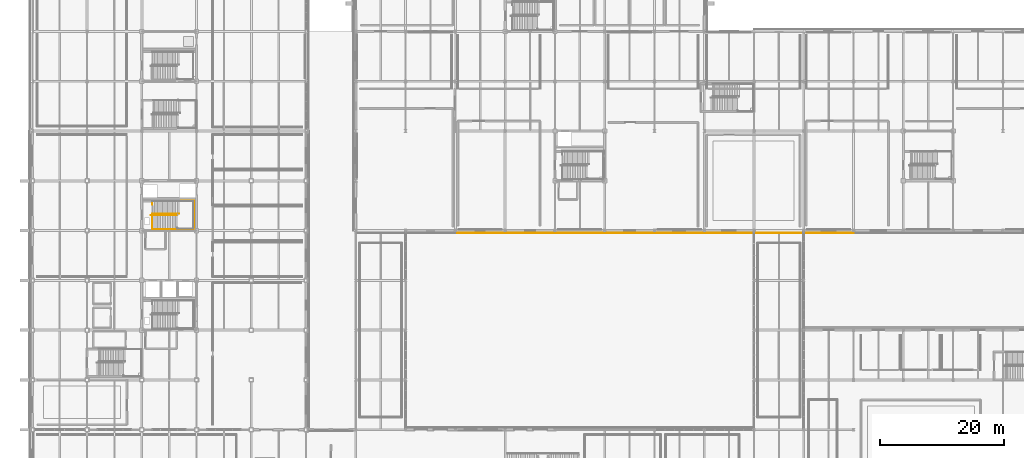
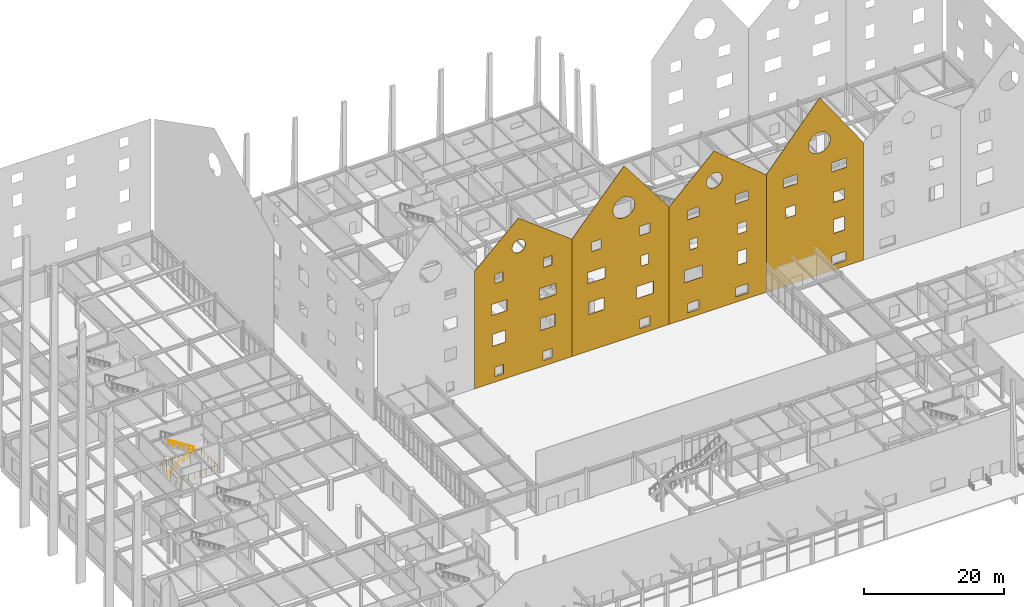
# One storey, part 106 of 119: 4 coverings, 3 railings, 33 openings.
"""IFC4 building model written with IfcOpenShell, lengths in metres."""

from ifc_helpers import new_model, si_unit, direction, frame, frame_2d, origin, origin_2d, place, context, subcontext, project, spatial, polyline, rectangle, circle, outline, extrude, material, layer, layer_set, type_object, element, save


model = new_model("IFC4")

# Units and contexts
model_context = context("Model", 3, precision=1e-05, world=origin(), true_north=direction((0.0, 1.0)))
body_context = subcontext(model_context, "Body", "Model", "MODEL_VIEW")
ifc_project = project(units=[si_unit("LENGTHUNIT", "METRE"), si_unit("AREAUNIT", "SQUARE_METRE"), si_unit("VOLUMEUNIT", "CUBIC_METRE"), si_unit("PLANEANGLEUNIT", "RADIAN"), si_unit("MASSUNIT", "GRAM", prefix="KILO")], contexts=[model_context])

# Site, building, storey
site_placement = place(None, origin())
site = spatial("IfcSite", under=ifc_project, at=site_placement, CompositionType="ELEMENT")
building_placement = place(site_placement, origin())
building = spatial("IfcBuilding", under=site, at=building_placement, Name="Zhaolan Boulevard Law Courts", CompositionType="ELEMENT")
storey_placement = place(building_placement, origin())
storey = spatial("IfcBuildingStorey", under=building, at=storey_placement, Name="L00", CompositionType="ELEMENT", Elevation=0.0)

# Railings
ifc_material_1 = material(Name="Brushed stainless steel tubular handrail", Category="steel")
railing_type_1 = type_object("IfcRailingType", Name="STAIR HANDRAIL 900", PredefinedType="HANDRAIL", material=ifc_material_1)
railing_1_placement = place(storey_placement, frame((19.050048828125, 64.47998046875, 0.0)))
element("IfcRailing", 1, at=railing_1_placement, inside=storey, type_object=railing_type_1, Name="Stair Handrail HR-ST02-L00-1", PredefinedType="HANDRAIL", context=body_context, shape_type="SweptSolid", body=[
    extrude(circle(Radius=0.0224609375, at=origin_2d()), frame((0.0, 0.0, 0.87744140625), z_axis=(0.843501457581, 0.0, 0.537126885437), x_axis=(0.0, 1.0, 0.0)), (0.0, 0.0, 1.0), 5.026611328125),
    extrude(circle(Radius=0.01904296875, at=origin_2d()), origin(), (0.0, 0.0, 1.0), 0.85498046875),
    extrude(circle(Radius=0.01904296875, at=origin_2d()), frame((0.847900390625, 0.0, 0.5400390625)), (0.0, 0.0, 1.0), 0.85498046875),
    extrude(circle(Radius=0.01904296875, at=origin_2d()), frame((1.696044921875, 0.0, 1.080078125)), (0.0, 0.0, 1.0), 0.85498046875),
    extrude(circle(Radius=0.01904296875, at=origin_2d()), frame((2.5439453125, 0.0, 1.619873046875)), (0.0, 0.0, 1.0), 0.85498046875),
    extrude(circle(Radius=0.01904296875, at=origin_2d()), frame((3.39208984375, 0.0, 2.159912109375)), (0.0, 0.0, 1.0), 0.85498046875),
    extrude(circle(Radius=0.01904296875, at=origin_2d()), frame((4.239990234375, 0.0, 2.699951171875)), (0.0, 0.0, 1.0), 0.85498046875),
])
railing_2_placement = place(storey_placement, frame((23.574951171875, 64.699951171875, 2.699951171875)))
element("IfcRailing", 2, at=railing_2_placement, inside=storey, type_object=railing_type_1, Name="Stair Handrail HR-ST02-L00-2", PredefinedType="HANDRAIL", context=body_context, shape_type="SweptSolid", body=[
    extrude(circle(Radius=0.0224609375, at=origin_2d()), frame((0.0, 0.0, 0.87744140625), z_axis=(-0.843501457581, 0.0, 0.537126885437), x_axis=(0.0, -1.0, 0.0)), (0.0, 0.0, 1.0), 5.026611328125),
    extrude(circle(Radius=0.01904296875, at=origin_2d()), origin(), (0.0, 0.0, 1.0), 0.85498046875),
    extrude(circle(Radius=0.01904296875, at=origin_2d()), frame((-0.847900390625, 0.0, 0.5400390625)), (0.0, 0.0, 1.0), 0.85498046875),
    extrude(circle(Radius=0.01904296875, at=origin_2d()), frame((-1.696044921875, 0.0, 1.080078125)), (0.0, 0.0, 1.0), 0.85498046875),
    extrude(circle(Radius=0.01904296875, at=origin_2d()), frame((-2.5439453125, 0.0, 1.619873046875)), (0.0, 0.0, 1.0), 0.85498046875),
    extrude(circle(Radius=0.01904296875, at=origin_2d()), frame((-3.39208984375, 0.0, 2.159912109375)), (0.0, 0.0, 1.0), 0.85498046875),
    extrude(circle(Radius=0.01904296875, at=origin_2d()), frame((-4.239990234375, 0.0, 2.699951171875)), (0.0, 0.0, 1.0), 0.85498046875),
])
ifc_material_2 = material(Name="Powder-coated steel baluster guardrail", Category="steel")
railing_type_2 = type_object("IfcRailingType", Name="STAIR WELL GUARDRAIL 1120", PredefinedType="GUARDRAIL", material=ifc_material_2)
railing_3_placement = place(storey_placement, frame((19.2900390625, 64.25, 0.0)))
element("IfcRailing", 3, at=railing_3_placement, inside=storey, type_object=railing_type_2, Name="Stair-Well Floor Guardrail WG-ST02-B1", PredefinedType="GUARDRAIL", context=body_context, shape_type="SweptSolid", body=[
    extrude(circle(Radius=0.02392578125, at=origin_2d()), frame((0.0, 0.0, 1.09619140625), z_axis=(0.0, -1.0, 0.0), x_axis=(1.0, 0.0, 0.0)), (0.0, 0.0, 1.0), 2.050048828125),
    extrude(circle(Radius=0.02392578125, at=origin_2d()), frame((0.0, -2.050048828125, 1.09619140625), z_axis=(1.0, 0.0, 0.0), x_axis=(0.0, 1.0, 0.0)), (0.0, 0.0, 1.0), 6.7099609375),
    extrude(circle(Radius=0.02392578125, at=origin_2d()), frame((6.7099609375, -2.050048828125, 1.09619140625), z_axis=(0.0, 1.0, 0.0), x_axis=(-1.0, 0.0, 0.0)), (0.0, 0.0, 1.0), 4.60009765625),
    extrude(circle(Radius=0.02392578125, at=origin_2d()), frame((6.7099609375, 2.550048828125, 1.09619140625), z_axis=(-1.0, 0.0, 0.0), x_axis=(0.0, -1.0, 0.0)), (0.0, 0.0, 1.0), 6.7099609375),
    extrude(circle(Radius=0.02392578125, at=origin_2d()), frame((0.0, 2.550048828125, 1.09619140625), z_axis=(0.0, -1.0, 0.0), x_axis=(1.0, 0.0, 0.0)), (0.0, 0.0, 1.0), 0.60009765625),
    extrude(circle(Radius=0.02099609375, at=origin_2d()), origin(), (0.0, 0.0, 1.0), 1.072021484375),
    extrude(circle(Radius=0.02099609375, at=origin_2d()), frame((0.0, -1.02490234375, 0.0)), (0.0, 0.0, 1.0), 1.072021484375),
    extrude(circle(Radius=0.02099609375, at=origin_2d()), frame((0.0, -2.050048828125, 0.0)), (0.0, 0.0, 1.0), 1.072021484375),
    extrude(circle(Radius=0.02099609375, at=origin_2d()), frame((0.95849609375, -2.050048828125, 0.0)), (0.0, 0.0, 1.0), 1.072021484375),
    extrude(circle(Radius=0.02099609375, at=origin_2d()), frame((1.917236328125, -2.050048828125, 0.0)), (0.0, 0.0, 1.0), 1.072021484375),
    extrude(circle(Radius=0.02099609375, at=origin_2d()), frame((2.875732421875, -2.050048828125, 0.0)), (0.0, 0.0, 1.0), 1.072021484375),
    extrude(circle(Radius=0.02099609375, at=origin_2d()), frame((3.834228515625, -2.050048828125, 0.0)), (0.0, 0.0, 1.0), 1.072021484375),
    extrude(circle(Radius=0.02099609375, at=origin_2d()), frame((4.792724609375, -2.050048828125, 0.0)), (0.0, 0.0, 1.0), 1.072021484375),
    extrude(circle(Radius=0.02099609375, at=origin_2d()), frame((5.75146484375, -2.050048828125, 0.0)), (0.0, 0.0, 1.0), 1.072021484375),
    extrude(circle(Radius=0.02099609375, at=origin_2d()), frame((6.7099609375, -2.050048828125, 0.0)), (0.0, 0.0, 1.0), 1.072021484375),
    extrude(circle(Radius=0.02099609375, at=origin_2d()), frame((6.7099609375, -1.130126953125, 0.0)), (0.0, 0.0, 1.0), 1.072021484375),
    extrude(circle(Radius=0.02099609375, at=origin_2d()), frame((6.7099609375, -0.2099609375, 0.0)), (0.0, 0.0, 1.0), 1.072021484375),
    extrude(circle(Radius=0.02099609375, at=origin_2d()), frame((6.7099609375, 0.7099609375, 0.0)), (0.0, 0.0, 1.0), 1.072021484375),
    extrude(circle(Radius=0.02099609375, at=origin_2d()), frame((6.7099609375, 1.630126953125, 0.0)), (0.0, 0.0, 1.0), 1.072021484375),
    extrude(circle(Radius=0.02099609375, at=origin_2d()), frame((6.7099609375, 2.550048828125, 0.0)), (0.0, 0.0, 1.0), 1.072021484375),
    extrude(circle(Radius=0.02099609375, at=origin_2d()), frame((5.75146484375, 2.550048828125, 0.0)), (0.0, 0.0, 1.0), 1.072021484375),
    extrude(circle(Radius=0.02099609375, at=origin_2d()), frame((4.792724609375, 2.550048828125, 0.0)), (0.0, 0.0, 1.0), 1.072021484375),
    extrude(circle(Radius=0.02099609375, at=origin_2d()), frame((3.834228515625, 2.550048828125, 0.0)), (0.0, 0.0, 1.0), 1.072021484375),
    extrude(circle(Radius=0.02099609375, at=origin_2d()), frame((2.875732421875, 2.550048828125, 0.0)), (0.0, 0.0, 1.0), 1.072021484375),
    extrude(circle(Radius=0.02099609375, at=origin_2d()), frame((1.917236328125, 2.550048828125, 0.0)), (0.0, 0.0, 1.0), 1.072021484375),
    extrude(circle(Radius=0.02099609375, at=origin_2d()), frame((0.95849609375, 2.550048828125, 0.0)), (0.0, 0.0, 1.0), 1.072021484375),
    extrude(circle(Radius=0.02099609375, at=origin_2d()), frame((0.0, 2.550048828125, 0.0)), (0.0, 0.0, 1.0), 1.072021484375),
    extrude(circle(Radius=0.02099609375, at=origin_2d()), frame((0.0, 1.949951171875, 0.0)), (0.0, 0.0, 1.0), 1.072021484375),
])

# Covering, openings
ifc_material_3 = material(Name="Pale mist-grey standing-seam Al-Mg-Mn zinc-titanium")
ifc_layer = layer(ifc_material_3, 0.050048828125)
ifc_layer_set = layer_set([ifc_layer])
covering_type = type_object("IfcCoveringType", Name="STANDING SEAM CLADDING 50", PredefinedType="CLADDING", material=ifc_layer_set)
covering_1_placement = place(storey_placement, frame((68.0, 61.635009765625, 0.0), z_axis=(0.0, 0.0, 1.0), x_axis=(1.0, 0.0, 0.0)))
covering_1 = element("IfcCovering", 4, at=covering_1_placement, inside=storey, type_object=covering_type, Name="Standing-Seam Metal Wall Wrap SSC-005", PredefinedType="CLADDING", context=body_context, shape_type="SweptSolid", body=[
    extrude(outline(polyline([(0.0, 0.0), (16.0, 0.0), (16.0, 20.449951171875), (7.199951171875, 27.199951171875), (0.0, 20.449951171875), (0.0, 0.0)])), frame((0.0, 0.02490234375, 0.0), z_axis=(0.0, -1.0, 0.0), x_axis=(1.0, 0.0, 0.0)), (0.0, 0.0, 1.0), 0.050048828125),
])
opening_1_placement = place(storey_placement, frame((71.300048828125, 61.635009765625, 0.949951171875), z_axis=(0.0, 0.0, 1.0), x_axis=(1.0, 0.0, 0.0)))
element("IfcOpeningElement", 5, at=opening_1_placement, cuts=covering_1, Name="Cladding Void WIN-L00-034", PredefinedType="OPENING", context=body_context, shape_type="SweptSolid", body=[
    extrude(rectangle(XDim=1.39990234375, YDim=1.60009765625, at=frame_2d((0.699951171875, 0.800048828125))), frame((0.0, 0.14990234375, 0.0), z_axis=(0.0, -1.0, 0.0), x_axis=(1.0, 0.0, 0.0)), (0.0, 0.0, 1.0), 0.300048828125),
])
opening_2_placement = place(storey_placement, frame((79.199951171875, 61.635009765625, 0.949951171875), z_axis=(0.0, 0.0, 1.0), x_axis=(1.0, 0.0, 0.0)))
element("IfcOpeningElement", 6, at=opening_2_placement, cuts=covering_1, Name="Cladding Void WIN-L00-035", PredefinedType="OPENING", context=body_context, shape_type="SweptSolid", body=[
    extrude(rectangle(XDim=1.60009765625, YDim=1.60009765625, at=frame_2d((0.800048828125, 0.800048828125))), frame((0.0, 0.14990234375, 0.0), z_axis=(0.0, -1.0, 0.0), x_axis=(1.0, 0.0, 0.0)), (0.0, 0.0, 1.0), 0.300048828125),
])
opening_3_placement = place(storey_placement, frame((70.89990234375, 61.635009765625, 6.35009765625), z_axis=(0.0, 0.0, 1.0), x_axis=(1.0, 0.0, 0.0)))
element("IfcOpeningElement", 7, at=opening_3_placement, cuts=covering_1, Name="Cladding Void WIN-L01-063", PredefinedType="OPENING", context=body_context, shape_type="SweptSolid", body=[
    extrude(rectangle(XDim=2.199951171875, YDim=2.10009765625, at=frame_2d((1.10009765625, 1.050048828125))), frame((0.0, 0.14990234375, 0.0), z_axis=(0.0, -1.0, 0.0), x_axis=(1.0, 0.0, 0.0)), (0.0, 0.0, 1.0), 0.300048828125),
])
opening_4_placement = place(storey_placement, frame((78.800048828125, 61.635009765625, 6.35009765625), z_axis=(0.0, 0.0, 1.0), x_axis=(1.0, 0.0, 0.0)))
element("IfcOpeningElement", 8, at=opening_4_placement, cuts=covering_1, Name="Cladding Void WIN-L01-064", PredefinedType="OPENING", context=body_context, shape_type="SweptSolid", body=[
    extrude(rectangle(XDim=2.39990234375, YDim=2.10009765625, at=frame_2d((1.199951171875, 1.050048828125))), frame((0.0, 0.14990234375, 0.0), z_axis=(0.0, -1.0, 0.0), x_axis=(1.0, 0.0, 0.0)), (0.0, 0.0, 1.0), 0.300048828125),
])
opening_5_placement = place(storey_placement, frame((70.72509765625, 61.635009765625, 11.75), z_axis=(0.0, 0.0, 1.0), x_axis=(1.0, 0.0, 0.0)))
element("IfcOpeningElement", 9, at=opening_5_placement, cuts=covering_1, Name="Cladding Void WIN-L02-095", PredefinedType="OPENING", context=body_context, shape_type="SweptSolid", body=[
    extrude(rectangle(XDim=2.550048828125, YDim=1.949951171875, at=frame_2d((1.27490234375, 0.97509765625))), frame((0.0, 0.14990234375, 0.0), z_axis=(0.0, -1.0, 0.0), x_axis=(1.0, 0.0, 0.0)), (0.0, 0.0, 1.0), 0.300048828125),
])
opening_6_placement = place(storey_placement, frame((78.625, 61.635009765625, 11.75), z_axis=(0.0, 0.0, 1.0), x_axis=(1.0, 0.0, 0.0)))
element("IfcOpeningElement", 10, at=opening_6_placement, cuts=covering_1, Name="Cladding Void WIN-L02-096", PredefinedType="OPENING", context=body_context, shape_type="SweptSolid", body=[
    extrude(rectangle(XDim=2.75, YDim=1.949951171875, at=frame_2d((1.375, 0.97509765625))), frame((0.0, 0.14990234375, 0.0), z_axis=(0.0, -1.0, 0.0), x_axis=(1.0, 0.0, 0.0)), (0.0, 0.0, 1.0), 0.300048828125),
])
opening_7_placement = place(storey_placement, frame((71.375, 61.635009765625, 17.14990234375), z_axis=(0.0, 0.0, 1.0), x_axis=(1.0, 0.0, 0.0)))
element("IfcOpeningElement", 11, at=opening_7_placement, cuts=covering_1, Name="Cladding Void WIN-L03-129", PredefinedType="OPENING", context=body_context, shape_type="SweptSolid", body=[
    extrude(rectangle(XDim=1.25, YDim=1.60009765625, at=frame_2d((0.625, 0.800048828125))), frame((0.0, 0.14990234375, 0.0), z_axis=(0.0, -1.0, 0.0), x_axis=(1.0, 0.0, 0.0)), (0.0, 0.0, 1.0), 0.300048828125),
])
opening_8_placement = place(storey_placement, frame((79.300048828125, 61.635009765625, 17.14990234375), z_axis=(0.0, 0.0, 1.0), x_axis=(1.0, 0.0, 0.0)))
element("IfcOpeningElement", 12, at=opening_8_placement, cuts=covering_1, Name="Cladding Void WIN-L03-130", PredefinedType="OPENING", context=body_context, shape_type="SweptSolid", body=[
    extrude(rectangle(XDim=1.39990234375, YDim=1.60009765625, at=frame_2d((0.699951171875, 0.800048828125))), frame((0.0, 0.14990234375, 0.0), z_axis=(0.0, -1.0, 0.0), x_axis=(1.0, 0.0, 0.0)), (0.0, 0.0, 1.0), 0.300048828125),
])
opening_9_placement = place(storey_placement, frame((74.155029296875, 61.635009765625, 21.169921875), z_axis=(0.0, 0.0, 1.0), x_axis=(1.0, 0.0, 0.0)))
element("IfcOpeningElement", 13, at=opening_9_placement, cuts=covering_1, Name="Cladding Void OC-T2S", PredefinedType="OPENING", context=body_context, shape_type="SweptSolid", body=[
    extrude(outline(polyline([(2.199951171875, 1.10009765625), (2.183349609375, 1.291015625), (2.133544921875, 1.476318359375), (2.052734375, 1.64990234375), (1.942626953125, 1.80712890625), (1.80712890625, 1.942626953125), (1.64990234375, 2.052734375), (1.476318359375, 2.133544921875), (1.291015625, 2.183349609375), (1.10009765625, 2.199951171875), (0.908935546875, 2.183349609375), (0.723876953125, 2.133544921875), (0.550048828125, 2.052734375), (0.392822265625, 1.942626953125), (0.25732421875, 1.80712890625), (0.1474609375, 1.64990234375), (0.06640625, 1.476318359375), (0.0166015625, 1.291015625), (0.0, 1.10009765625), (0.0166015625, 0.908935546875), (0.06640625, 0.723876953125), (0.1474609375, 0.550048828125), (0.25732421875, 0.392822265625), (0.392822265625, 0.25732421875), (0.550048828125, 0.1474609375), (0.723876953125, 0.06640625), (0.908935546875, 0.0166015625), (1.10009765625, 0.0), (1.291015625, 0.0166015625), (1.476318359375, 0.06640625), (1.64990234375, 0.1474609375), (1.80712890625, 0.25732421875), (1.942626953125, 0.392822265625), (2.052734375, 0.550048828125), (2.133544921875, 0.723876953125), (2.183349609375, 0.908935546875), (2.199951171875, 1.10009765625)])), frame((0.0, 0.14990234375, 0.0), z_axis=(0.0, -1.0, 0.0), x_axis=(1.0, 0.0, 0.0)), (0.0, 0.0, 1.0), 0.300048828125),
])

covering_2_placement = place(storey_placement, frame((84.0, 61.635009765625, 0.0), z_axis=(0.0, 0.0, 1.0), x_axis=(1.0, 0.0, 0.0)))
covering_2 = element("IfcCovering", 14, at=covering_2_placement, inside=storey, type_object=covering_type, Name="Standing-Seam Metal Wall Wrap SSC-009", PredefinedType="CLADDING", context=body_context, shape_type="SweptSolid", body=[
    extrude(outline(polyline([(0.0, 0.0), (16.0, 0.0), (16.0, 20.449951171875), (8.60009765625, 30.199951171875), (0.0, 20.449951171875), (0.0, 0.0)])), frame((0.0, 0.02490234375, 0.0), z_axis=(0.0, -1.0, 0.0), x_axis=(1.0, 0.0, 0.0)), (0.0, 0.0, 1.0), 0.050048828125),
])
opening_10_placement = place(storey_placement, frame((95.125, 61.635009765625, 0.949951171875), z_axis=(0.0, 0.0, 1.0), x_axis=(1.0, 0.0, 0.0)))
element("IfcOpeningElement", 15, at=opening_10_placement, cuts=covering_2, Name="Cladding Void WIN-L00-036", PredefinedType="OPENING", context=body_context, shape_type="SweptSolid", body=[
    extrude(rectangle(XDim=1.75, YDim=1.60009765625, at=frame_2d((0.875, 0.800048828125))), frame((0.0, 0.14990234375, 0.0), z_axis=(0.0, -1.0, 0.0), x_axis=(1.0, 0.0, 0.0)), (0.0, 0.0, 1.0), 0.300048828125),
])
opening_11_placement = place(storey_placement, frame((86.699951171875, 61.635009765625, 6.35009765625), z_axis=(0.0, 0.0, 1.0), x_axis=(1.0, 0.0, 0.0)))
element("IfcOpeningElement", 16, at=opening_11_placement, cuts=covering_2, Name="Cladding Void WIN-L01-065", PredefinedType="OPENING", context=body_context, shape_type="SweptSolid", body=[
    extrude(rectangle(XDim=2.60009765625, YDim=2.10009765625, at=frame_2d((1.300048828125, 1.050048828125))), frame((0.0, 0.14990234375, 0.0), z_axis=(0.0, -1.0, 0.0), x_axis=(1.0, 0.0, 0.0)), (0.0, 0.0, 1.0), 0.300048828125),
])
opening_12_placement = place(storey_placement, frame((94.60009765625, 61.635009765625, 6.35009765625), z_axis=(0.0, 0.0, 1.0), x_axis=(1.0, 0.0, 0.0)))
element("IfcOpeningElement", 17, at=opening_12_placement, cuts=covering_2, Name="Cladding Void WIN-L01-066", PredefinedType="OPENING", context=body_context, shape_type="SweptSolid", body=[
    extrude(rectangle(XDim=2.800048828125, YDim=2.10009765625, at=frame_2d((1.39990234375, 1.050048828125))), frame((0.0, 0.14990234375, 0.0), z_axis=(0.0, -1.0, 0.0), x_axis=(1.0, 0.0, 0.0)), (0.0, 0.0, 1.0), 0.300048828125),
])
opening_13_placement = place(storey_placement, frame((86.550048828125, 61.635009765625, 11.75), z_axis=(0.0, 0.0, 1.0), x_axis=(1.0, 0.0, 0.0)))
element("IfcOpeningElement", 18, at=opening_13_placement, cuts=covering_2, Name="Cladding Void WIN-L02-097", PredefinedType="OPENING", context=body_context, shape_type="SweptSolid", body=[
    extrude(rectangle(XDim=2.89990234375, YDim=1.949951171875, at=frame_2d((1.449951171875, 0.97509765625))), frame((0.0, 0.14990234375, 0.0), z_axis=(0.0, -1.0, 0.0), x_axis=(1.0, 0.0, 0.0)), (0.0, 0.0, 1.0), 0.300048828125),
])
opening_14_placement = place(storey_placement, frame((95.39990234375, 61.635009765625, 11.75), z_axis=(0.0, 0.0, 1.0), x_axis=(1.0, 0.0, 0.0)))
element("IfcOpeningElement", 19, at=opening_14_placement, cuts=covering_2, Name="Cladding Void WIN-L02-098", PredefinedType="OPENING", context=body_context, shape_type="SweptSolid", body=[
    extrude(rectangle(XDim=1.199951171875, YDim=1.800048828125, at=frame_2d((0.60009765625, 0.89990234375))), frame((0.0, 0.14990234375, 0.0), z_axis=(0.0, -1.0, 0.0), x_axis=(1.0, 0.0, 0.0)), (0.0, 0.0, 1.0), 0.300048828125),
])
opening_15_placement = place(storey_placement, frame((87.199951171875, 61.635009765625, 17.14990234375), z_axis=(0.0, 0.0, 1.0), x_axis=(1.0, 0.0, 0.0)))
element("IfcOpeningElement", 20, at=opening_15_placement, cuts=covering_2, Name="Cladding Void WIN-L03-131", PredefinedType="OPENING", context=body_context, shape_type="SweptSolid", body=[
    extrude(rectangle(XDim=1.60009765625, YDim=1.60009765625, at=frame_2d((0.800048828125, 0.800048828125))), frame((0.0, 0.14990234375, 0.0), z_axis=(0.0, -1.0, 0.0), x_axis=(1.0, 0.0, 0.0)), (0.0, 0.0, 1.0), 0.300048828125),
])
opening_16_placement = place(storey_placement, frame((95.125, 61.635009765625, 17.14990234375), z_axis=(0.0, 0.0, 1.0), x_axis=(1.0, 0.0, 0.0)))
element("IfcOpeningElement", 21, at=opening_16_placement, cuts=covering_2, Name="Cladding Void WIN-L03-132", PredefinedType="OPENING", context=body_context, shape_type="SweptSolid", body=[
    extrude(rectangle(XDim=1.75, YDim=1.60009765625, at=frame_2d((0.875, 0.800048828125))), frame((0.0, 0.14990234375, 0.0), z_axis=(0.0, -1.0, 0.0), x_axis=(1.0, 0.0, 0.0)), (0.0, 0.0, 1.0), 0.300048828125),
])
opening_17_placement = place(storey_placement, frame((90.759033203125, 61.635009765625, 21.169921875), z_axis=(0.0, 0.0, 1.0), x_axis=(1.0, 0.0, 0.0)))
element("IfcOpeningElement", 22, at=opening_17_placement, cuts=covering_2, Name="Cladding Void OC-T3S", PredefinedType="OPENING", context=body_context, shape_type="SweptSolid", body=[
    extrude(outline(polyline([(3.60009765625, 1.800048828125), (3.57275390625, 2.112548828125), (3.491455078125, 2.41552734375), (3.35888671875, 2.699951171875), (3.178955078125, 2.95703125), (2.95703125, 3.178955078125), (2.699951171875, 3.35888671875), (2.41552734375, 3.491455078125), (2.112548828125, 3.57275390625), (1.800048828125, 3.60009765625), (1.487548828125, 3.57275390625), (1.184326171875, 3.491455078125), (0.89990234375, 3.35888671875), (0.64306640625, 3.178955078125), (0.421142578125, 2.95703125), (0.2412109375, 2.699951171875), (0.108642578125, 2.41552734375), (0.02734375, 2.112548828125), (0.0, 1.800048828125), (0.02734375, 1.487548828125), (0.108642578125, 1.184326171875), (0.2412109375, 0.89990234375), (0.421142578125, 0.64306640625), (0.64306640625, 0.421142578125), (0.89990234375, 0.2412109375), (1.184326171875, 0.108642578125), (1.487548828125, 0.02734375), (1.800048828125, 0.0), (2.112548828125, 0.02734375), (2.41552734375, 0.108642578125), (2.699951171875, 0.2412109375), (2.95703125, 0.421142578125), (3.178955078125, 0.64306640625), (3.35888671875, 0.89990234375), (3.491455078125, 1.184326171875), (3.57275390625, 1.487548828125), (3.60009765625, 1.800048828125)])), frame((0.0, 0.14990234375, 0.0), z_axis=(0.0, -1.0, 0.0), x_axis=(1.0, 0.0, 0.0)), (0.0, 0.0, 1.0), 0.300048828125),
])

covering_3_placement = place(storey_placement, frame((100.0, 61.635009765625, 0.0), z_axis=(0.0, 0.0, 1.0), x_axis=(1.0, 0.0, 0.0)))
covering_3 = element("IfcCovering", 23, at=covering_3_placement, inside=storey, type_object=covering_type, Name="Standing-Seam Metal Wall Wrap SSC-013", PredefinedType="CLADDING", context=body_context, shape_type="SweptSolid", body=[
    extrude(outline(polyline([(0.0, 0.0), (16.0, 0.0), (16.0, 20.449951171875), (7.39990234375, 27.60009765625), (0.0, 20.449951171875), (0.0, 0.0)])), frame((0.0, 0.02490234375, 0.0), z_axis=(0.0, -1.0, 0.0), x_axis=(1.0, 0.0, 0.0)), (0.0, 0.0, 1.0), 0.050048828125),
])
opening_18_placement = place(storey_placement, frame((103.050048828125, 61.635009765625, 0.949951171875), z_axis=(0.0, 0.0, 1.0), x_axis=(1.0, 0.0, 0.0)))
element("IfcOpeningElement", 24, at=opening_18_placement, cuts=covering_3, Name="Cladding Void WIN-L00-037", PredefinedType="OPENING", context=body_context, shape_type="SweptSolid", body=[
    extrude(rectangle(XDim=1.89990234375, YDim=1.60009765625, at=frame_2d((0.949951171875, 0.800048828125))), frame((0.0, 0.14990234375, 0.0), z_axis=(0.0, -1.0, 0.0), x_axis=(1.0, 0.0, 0.0)), (0.0, 0.0, 1.0), 0.300048828125),
])
opening_19_placement = place(storey_placement, frame((110.925048828125, 61.635009765625, 0.949951171875), z_axis=(0.0, 0.0, 1.0), x_axis=(1.0, 0.0, 0.0)))
element("IfcOpeningElement", 25, at=opening_19_placement, cuts=covering_3, Name="Cladding Void WIN-L00-038", PredefinedType="OPENING", context=body_context, shape_type="SweptSolid", body=[
    extrude(rectangle(XDim=2.14990234375, YDim=1.60009765625, at=frame_2d((1.074951171875, 0.800048828125))), frame((0.0, 0.14990234375, 0.0), z_axis=(0.0, -1.0, 0.0), x_axis=(1.0, 0.0, 0.0)), (0.0, 0.0, 1.0), 0.300048828125),
])
opening_20_placement = place(storey_placement, frame((102.5, 61.635009765625, 6.35009765625), z_axis=(0.0, 0.0, 1.0), x_axis=(1.0, 0.0, 0.0)))
element("IfcOpeningElement", 26, at=opening_20_placement, cuts=covering_3, Name="Cladding Void WIN-L01-067", PredefinedType="OPENING", context=body_context, shape_type="SweptSolid", body=[
    extrude(rectangle(XDim=3.0, YDim=2.10009765625, at=frame_2d((1.5, 1.050048828125))), frame((0.0, 0.14990234375, 0.0), z_axis=(0.0, -1.0, 0.0), x_axis=(1.0, 0.0, 0.0)), (0.0, 0.0, 1.0), 0.300048828125),
])
opening_21_placement = place(storey_placement, frame((111.25, 61.635009765625, 6.35009765625), z_axis=(0.0, 0.0, 1.0), x_axis=(1.0, 0.0, 0.0)))
element("IfcOpeningElement", 27, at=opening_21_placement, cuts=covering_3, Name="Cladding Void WIN-L01-068", PredefinedType="OPENING", context=body_context, shape_type="SweptSolid", body=[
    extrude(rectangle(XDim=1.5, YDim=2.39990234375, at=frame_2d((0.75, 1.199951171875))), frame((0.0, 0.14990234375, 0.0), z_axis=(0.0, -1.0, 0.0), x_axis=(1.0, 0.0, 0.0)), (0.0, 0.0, 1.0), 0.300048828125),
])
opening_22_placement = place(storey_placement, frame((103.324951171875, 61.635009765625, 11.75), z_axis=(0.0, 0.0, 1.0), x_axis=(1.0, 0.0, 0.0)))
element("IfcOpeningElement", 28, at=opening_22_placement, cuts=covering_3, Name="Cladding Void WIN-L02-099", PredefinedType="OPENING", context=body_context, shape_type="SweptSolid", body=[
    extrude(rectangle(XDim=1.35009765625, YDim=1.800048828125, at=frame_2d((0.675048828125, 0.89990234375))), frame((0.0, 0.14990234375, 0.0), z_axis=(0.0, -1.0, 0.0), x_axis=(1.0, 0.0, 0.0)), (0.0, 0.0, 1.0), 0.300048828125),
])
opening_23_placement = place(storey_placement, frame((111.25, 61.635009765625, 11.75), z_axis=(0.0, 0.0, 1.0), x_axis=(1.0, 0.0, 0.0)))
element("IfcOpeningElement", 29, at=opening_23_placement, cuts=covering_3, Name="Cladding Void WIN-L02-100", PredefinedType="OPENING", context=body_context, shape_type="SweptSolid", body=[
    extrude(rectangle(XDim=1.5, YDim=1.800048828125, at=frame_2d((0.75, 0.89990234375))), frame((0.0, 0.14990234375, 0.0), z_axis=(0.0, -1.0, 0.0), x_axis=(1.0, 0.0, 0.0)), (0.0, 0.0, 1.0), 0.300048828125),
])
opening_24_placement = place(storey_placement, frame((103.050048828125, 61.635009765625, 17.14990234375), z_axis=(0.0, 0.0, 1.0), x_axis=(1.0, 0.0, 0.0)))
element("IfcOpeningElement", 30, at=opening_24_placement, cuts=covering_3, Name="Cladding Void WIN-L03-133", PredefinedType="OPENING", context=body_context, shape_type="SweptSolid", body=[
    extrude(rectangle(XDim=1.89990234375, YDim=1.60009765625, at=frame_2d((0.949951171875, 0.800048828125))), frame((0.0, 0.14990234375, 0.0), z_axis=(0.0, -1.0, 0.0), x_axis=(1.0, 0.0, 0.0)), (0.0, 0.0, 1.0), 0.300048828125),
])
opening_25_placement = place(storey_placement, frame((110.925048828125, 61.635009765625, 17.14990234375), z_axis=(0.0, 0.0, 1.0), x_axis=(1.0, 0.0, 0.0)))
element("IfcOpeningElement", 31, at=opening_25_placement, cuts=covering_3, Name="Cladding Void WIN-L03-134", PredefinedType="OPENING", context=body_context, shape_type="SweptSolid", body=[
    extrude(rectangle(XDim=2.14990234375, YDim=1.60009765625, at=frame_2d((1.074951171875, 0.800048828125))), frame((0.0, 0.14990234375, 0.0), z_axis=(0.0, -1.0, 0.0), x_axis=(1.0, 0.0, 0.0)), (0.0, 0.0, 1.0), 0.300048828125),
])
opening_26_placement = place(storey_placement, frame((106.14111328125, 61.635009765625, 21.169921875), z_axis=(0.0, 0.0, 1.0), x_axis=(1.0, 0.0, 0.0)))
element("IfcOpeningElement", 32, at=opening_26_placement, cuts=covering_3, Name="Cladding Void OC-T4S", PredefinedType="OPENING", context=body_context, shape_type="SweptSolid", body=[
    extrude(outline(polyline([(2.60009765625, 1.300048828125), (2.580322265625, 1.525634765625), (2.521484375, 1.74462890625), (2.42578125, 1.949951171875), (2.2958984375, 2.1357421875), (2.1357421875, 2.2958984375), (1.949951171875, 2.42578125), (1.74462890625, 2.521484375), (1.525634765625, 2.580322265625), (1.300048828125, 2.60009765625), (1.07421875, 2.580322265625), (0.85546875, 2.521484375), (0.64990234375, 2.42578125), (0.46435546875, 2.2958984375), (0.30419921875, 2.1357421875), (0.174072265625, 1.949951171875), (0.078369140625, 1.74462890625), (0.019775390625, 1.525634765625), (0.0, 1.300048828125), (0.019775390625, 1.07421875), (0.078369140625, 0.85546875), (0.174072265625, 0.64990234375), (0.30419921875, 0.46435546875), (0.46435546875, 0.30419921875), (0.64990234375, 0.174072265625), (0.85546875, 0.078369140625), (1.07421875, 0.019775390625), (1.300048828125, 0.0), (1.525634765625, 0.019775390625), (1.74462890625, 0.078369140625), (1.949951171875, 0.174072265625), (2.1357421875, 0.30419921875), (2.2958984375, 0.46435546875), (2.42578125, 0.64990234375), (2.521484375, 0.85546875), (2.580322265625, 1.07421875), (2.60009765625, 1.300048828125)])), frame((0.0, 0.14990234375, 0.0), z_axis=(0.0, -1.0, 0.0), x_axis=(1.0, 0.0, 0.0)), (0.0, 0.0, 1.0), 0.300048828125),
])

covering_4_placement = place(storey_placement, frame((116.0, 61.635009765625, 0.0), z_axis=(0.0, 0.0, 1.0), x_axis=(1.0, 0.0, 0.0)))
covering_4 = element("IfcCovering", 33, at=covering_4_placement, inside=storey, type_object=covering_type, Name="Standing-Seam Metal Wall Wrap SSC-017", PredefinedType="CLADDING", context=body_context, shape_type="SweptSolid", body=[
    extrude(outline(polyline([(0.0, 0.0), (16.0, 0.0), (16.0, 20.449951171875), (8.800048828125, 30.800048828125), (0.0, 20.449951171875), (0.0, 0.0)])), frame((0.0, 0.02490234375, 0.0), z_axis=(0.0, -1.0, 0.0), x_axis=(1.0, 0.0, 0.0)), (0.0, 0.0, 1.0), 0.050048828125),
])
opening_27_placement = place(storey_placement, frame((126.85009765625, 61.635009765625, 0.949951171875), z_axis=(0.0, 0.0, 1.0), x_axis=(1.0, 0.0, 0.0)))
element("IfcOpeningElement", 34, at=opening_27_placement, cuts=covering_4, Name="Cladding Void WIN-L00-039", PredefinedType="OPENING", context=body_context, shape_type="SweptSolid", body=[
    extrude(rectangle(XDim=2.300048828125, YDim=1.60009765625, at=frame_2d((1.14990234375, 0.800048828125))), frame((0.0, 0.14990234375, 0.0), z_axis=(0.0, -1.0, 0.0), x_axis=(1.0, 0.0, 0.0)), (0.0, 0.0, 1.0), 0.300048828125),
])
opening_28_placement = place(storey_placement, frame((127.10009765625, 61.635009765625, 6.35009765625), z_axis=(0.0, 0.0, 1.0), x_axis=(1.0, 0.0, 0.0)))
element("IfcOpeningElement", 35, at=opening_28_placement, cuts=covering_4, Name="Cladding Void WIN-L01-069", PredefinedType="OPENING", context=body_context, shape_type="SweptSolid", body=[
    extrude(rectangle(XDim=1.800048828125, YDim=2.39990234375, at=frame_2d((0.89990234375, 1.199951171875))), frame((0.0, 0.14990234375, 0.0), z_axis=(0.0, -1.0, 0.0), x_axis=(1.0, 0.0, 0.0)), (0.0, 0.0, 1.0), 0.300048828125),
])
opening_29_placement = place(storey_placement, frame((119.175048828125, 61.635009765625, 11.75), z_axis=(0.0, 0.0, 1.0), x_axis=(1.0, 0.0, 0.0)))
element("IfcOpeningElement", 36, at=opening_29_placement, cuts=covering_4, Name="Cladding Void WIN-L02-101", PredefinedType="OPENING", context=body_context, shape_type="SweptSolid", body=[
    extrude(rectangle(XDim=1.64990234375, YDim=1.800048828125, at=frame_2d((0.824951171875, 0.89990234375))), frame((0.0, 0.14990234375, 0.0), z_axis=(0.0, -1.0, 0.0), x_axis=(1.0, 0.0, 0.0)), (0.0, 0.0, 1.0), 0.300048828125),
])
opening_30_placement = place(storey_placement, frame((127.10009765625, 61.635009765625, 11.75), z_axis=(0.0, 0.0, 1.0), x_axis=(1.0, 0.0, 0.0)))
element("IfcOpeningElement", 37, at=opening_30_placement, cuts=covering_4, Name="Cladding Void WIN-L02-102", PredefinedType="OPENING", context=body_context, shape_type="SweptSolid", body=[
    extrude(rectangle(XDim=1.800048828125, YDim=1.800048828125, at=frame_2d((0.89990234375, 0.89990234375))), frame((0.0, 0.14990234375, 0.0), z_axis=(0.0, -1.0, 0.0), x_axis=(1.0, 0.0, 0.0)), (0.0, 0.0, 1.0), 0.300048828125),
])
opening_31_placement = place(storey_placement, frame((118.85009765625, 61.635009765625, 17.14990234375), z_axis=(0.0, 0.0, 1.0), x_axis=(1.0, 0.0, 0.0)))
element("IfcOpeningElement", 38, at=opening_31_placement, cuts=covering_4, Name="Cladding Void WIN-L03-135", PredefinedType="OPENING", context=body_context, shape_type="SweptSolid", body=[
    extrude(rectangle(XDim=2.300048828125, YDim=1.60009765625, at=frame_2d((1.14990234375, 0.800048828125))), frame((0.0, 0.14990234375, 0.0), z_axis=(0.0, -1.0, 0.0), x_axis=(1.0, 0.0, 0.0)), (0.0, 0.0, 1.0), 0.300048828125),
])
opening_32_placement = place(storey_placement, frame((126.75, 61.635009765625, 17.14990234375), z_axis=(0.0, 0.0, 1.0), x_axis=(1.0, 0.0, 0.0)))
element("IfcOpeningElement", 39, at=opening_32_placement, cuts=covering_4, Name="Cladding Void WIN-L03-136", PredefinedType="OPENING", context=body_context, shape_type="SweptSolid", body=[
    extrude(rectangle(XDim=2.5, YDim=1.60009765625, at=frame_2d((1.25, 0.800048828125))), frame((0.0, 0.14990234375, 0.0), z_axis=(0.0, -1.0, 0.0), x_axis=(1.0, 0.0, 0.0)), (0.0, 0.0, 1.0), 0.300048828125),
])
opening_33_placement = place(storey_placement, frame((122.945068359375, 61.635009765625, 21.169921875), z_axis=(0.0, 0.0, 1.0), x_axis=(1.0, 0.0, 0.0)))
element("IfcOpeningElement", 40, at=opening_33_placement, cuts=covering_4, Name="Cladding Void OC-T5S", PredefinedType="OPENING", context=body_context, shape_type="SweptSolid", body=[
    extrude(outline(polyline([(3.60009765625, 1.800048828125), (3.57275390625, 2.112548828125), (3.491455078125, 2.41552734375), (3.35888671875, 2.699951171875), (3.178955078125, 2.95703125), (2.95703125, 3.178955078125), (2.699951171875, 3.35888671875), (2.41552734375, 3.491455078125), (2.112548828125, 3.57275390625), (1.800048828125, 3.60009765625), (1.487548828125, 3.57275390625), (1.184326171875, 3.491455078125), (0.89990234375, 3.35888671875), (0.64306640625, 3.178955078125), (0.421142578125, 2.95703125), (0.2412109375, 2.699951171875), (0.108642578125, 2.41552734375), (0.02734375, 2.112548828125), (0.0, 1.800048828125), (0.02734375, 1.487548828125), (0.108642578125, 1.184326171875), (0.2412109375, 0.89990234375), (0.421142578125, 0.64306640625), (0.64306640625, 0.421142578125), (0.89990234375, 0.2412109375), (1.184326171875, 0.108642578125), (1.487548828125, 0.02734375), (1.800048828125, 0.0), (2.112548828125, 0.02734375), (2.41552734375, 0.108642578125), (2.699951171875, 0.2412109375), (2.95703125, 0.421142578125), (3.178955078125, 0.64306640625), (3.35888671875, 0.89990234375), (3.491455078125, 1.184326171875), (3.57275390625, 1.487548828125), (3.60009765625, 1.800048828125)])), frame((0.0, 0.14990234375, 0.0), z_axis=(0.0, -1.0, 0.0), x_axis=(1.0, 0.0, 0.0)), (0.0, 0.0, 1.0), 0.300048828125),
])

save(model, "model.ifc")
